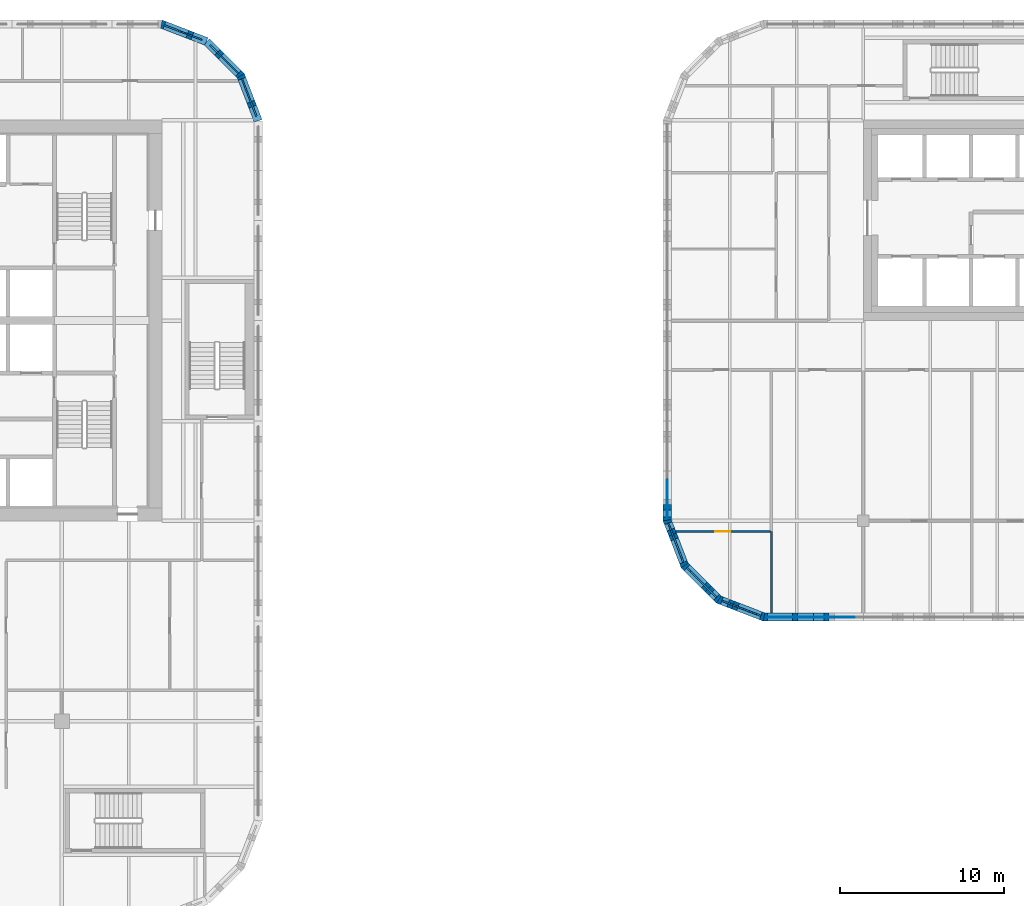
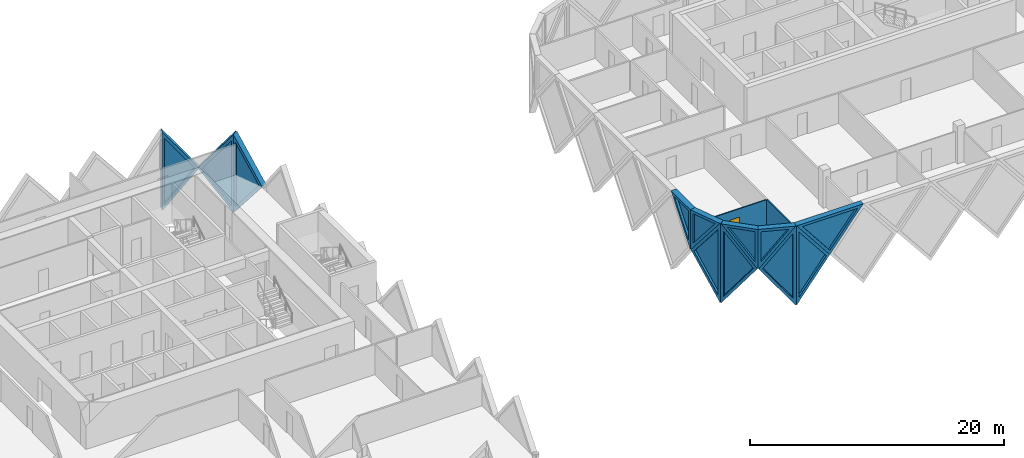
# One storey, part 11 of 21: 14 walls, 12 plates, 1 door, 13 openings.
"""IFC4 building model written with IfcOpenShell, lengths in metres."""

from ifc_helpers import new_model, si_unit, direction, frame, frame_2d, origin, place, context, subcontext, project, spatial, polyline, rectangle, outline, extrude, faceted_brep, source, transform, mapped, material, layer, layer_set, type_object, element, fill, save


model = new_model("IFC4")

# Units and contexts
model_context = context("Model", 3, precision=1e-05, world=origin(), true_north=direction((0.0, 1.0)))
body_context = subcontext(model_context, "Body", "Model", "MODEL_VIEW")
ifc_project = project(units=[si_unit("LENGTHUNIT", "METRE"), si_unit("AREAUNIT", "SQUARE_METRE"), si_unit("VOLUMEUNIT", "CUBIC_METRE"), si_unit("PLANEANGLEUNIT", "RADIAN"), si_unit("MASSUNIT", "GRAM", prefix="KILO")], contexts=[model_context])

# Site, building, storey
site_placement = place(None, origin())
site = spatial("IfcSite", under=ifc_project, at=site_placement, CompositionType="ELEMENT")
building_placement = place(site_placement, origin())
building = spatial("IfcBuilding", under=site, at=building_placement, Name="Tessera Gate Towers", CompositionType="ELEMENT")
storey_placement = place(building_placement, frame((0.0, 0.0, 91.39990234375)))
storey = spatial("IfcBuildingStorey", under=building, at=storey_placement, Name="L22", CompositionType="ELEMENT", Elevation=91.39990234375)

# Wall
ifc_material_1 = material(Name="Glass", Category="glass")
ifc_layer_1 = layer(ifc_material_1, 0.10009765625)
ifc_layer_set_1 = layer_set([ifc_layer_1], Name="GLAZED PARTITION 100")
wall_type_1 = type_object("IfcWallType", Name="GLAZED PARTITION 100", PredefinedType="PARTITIONING", material=ifc_layer_set_1)
wall_1_placement = place(storey_placement, frame((92.0, 18.800048828125, 0.0), z_axis=(0.0, 0.0, 1.0), x_axis=(0.0, 1.0, 0.0)))
element("IfcWall", 1, at=wall_1_placement, inside=storey, type_object=wall_type_1, Name="T2-L22-PW-001", PredefinedType="PARTITIONING", context=body_context, shape_type="SweptSolid", body=[
    extrude(rectangle(XDim=4.953857421875, YDim=0.10009765625, at=frame_2d((2.47705078125, 0.0))), origin(), (0.0, 0.0, 1.0), 2.89501953125),
])

# Wall, opening, door
wall_2_placement = place(storey_placement, frame((91.924072265625, 23.7548828125, 0.0), z_axis=(0.0, 0.0, 1.0), x_axis=(-1.0, 0.0, 0.0)))
wall_2 = element("IfcWall", 2, at=wall_2_placement, inside=storey, type_object=wall_type_1, Name="T2-L22-PW-013", PredefinedType="PARTITIONING", context=body_context, shape_type="SweptSolid", body=[
    extrude(rectangle(XDim=5.7392578125, YDim=0.10009765625, at=frame_2d((2.86962890625, 0.0))), origin(), (0.0, 0.0, 1.0), 2.89501953125),
])
shared_shape_1 = source(origin(), body_context, "Body", "SweptSolid", [
    extrude(rectangle(XDim=0.89990234375, YDim=2.10009765625, at=frame_2d((0.449951171875, 1.050048828125))), frame((0.0, 0.06005859375, 0.0), z_axis=(0.0, -1.0, 0.0), x_axis=(1.0, 0.0, 0.0)), (0.0, 0.0, 1.0), 0.1201171875),
])
opening_1_placement = place(wall_2_placement, frame((2.439208984375, 0.0, 0.0)))
opening_1 = element("IfcOpeningElement", 3, at=opening_1_placement, cuts=wall_2, Name="Opening D690-B09-02", PredefinedType="OPENING", context=body_context, shape_type="MappedRepresentation", body=[
    mapped(shared_shape_1, transform((0.0, 0.0, 0.0), scale=1.0)),
])
ifc_material_2 = material(Name="Glass in aluminium frame", Category="aluminium")
door_type = type_object("IfcDoorType", Name="GLAZED DOOR 900 NOT RATED", OperationType="NOTDEFINED", PredefinedType="DOOR", material=ifc_material_2)
shared_shape_2 = source(origin(), body_context, "Body", "SweptSolid", [
    extrude(rectangle(XDim=0.89990234375, YDim=2.10009765625, at=frame_2d((0.449951171875, 1.050048828125))), frame((0.0, 0.02490234375, 0.0), z_axis=(0.0, -1.0, 0.0), x_axis=(1.0, 0.0, 0.0)), (0.0, 0.0, 1.0), 0.050048828125),
])
door_placement = place(opening_1_placement, origin())
door = element("IfcDoor", 4, at=door_placement, inside=storey, type_object=door_type, Name="T2-L22-PD-015", OperationType="SINGLE_SWING_RIGHT", OverallHeight=2.10009765625, OverallWidth=0.89990234375, PredefinedType="DOOR", context=body_context, shape_type="MappedRepresentation", body=[
    mapped(shared_shape_2, transform((0.0, 0.0, 0.0), scale=1.0)),
])
fill(opening_1, door)

# Wall, opening, plate
ifc_material_3 = material(Name="Precast concrete C60/75 white", Category="concrete")
ifc_layer_2 = layer(ifc_material_3, 0.5)
ifc_layer_set_2 = layer_set([ifc_layer_2], Name="TS3 corner tessera")
wall_type_2 = type_object("IfcWallType", Name="TS3 corner tessera", PredefinedType="SOLIDWALL", material=ifc_layer_set_2)
shared_shape_3 = source(origin(), body_context, "Body", "Brep", [
    faceted_brep([(0.046630859375, -0.25, 0.0), (3.050048828125, -0.25, 3.7998046875), (0.046630859375, -0.25, 7.599853515625), (0.0, -0.25, 7.539794921875), (0.0, -0.25, 0.06005859375), (0.09326171875, 0.25, 7.541015625), (3.050048828125, 0.25, 3.7998046875), (0.09326171875, 0.25, 0.058837890625), (0.046630859375, 0.0, 0.0), (0.046630859375, 0.0, 7.599853515625)], [[[0, 1, 2, 3, 4]], [[5, 6, 7]], [[7, 6, 1, 0, 8]], [[6, 5, 9, 2, 1]], [[3, 2, 9]], [[8, 0, 4]], [[7, 8, 4, 3, 9, 5]]]),
])
wall_3_placement = place(storey_placement, frame((91.5, 18.550048828125, -3.7998046875), z_axis=(0.0, 0.0, 1.0), x_axis=(1.0, 0.0, 0.0)))
wall_3 = element("IfcWall", 5, at=wall_3_placement, inside=storey, type_object=wall_type_2, Name="Precast corner tessera T2 TS3-0321", PredefinedType="SOLIDWALL", context=body_context, shape_type="MappedRepresentation", body=[
    mapped(shared_shape_3, transform((0.0, 0.0, 0.0), scale=1.0)),
])
shared_shape_4 = source(origin(), body_context, "Body", "SweptSolid", [
    extrude(outline(polyline([(0.24658203125, 0.656005859375), (2.7314453125, 3.7998046875), (0.24658203125, 6.943603515625), (0.24658203125, 0.656005859375)])), frame((0.0, 0.260009765625, 0.0), z_axis=(0.0, -1.0, 0.0), x_axis=(1.0, 0.0, 0.0)), (0.0, 0.0, 1.0), 0.52001953125),
])
opening_2_placement = place(wall_3_placement, origin())
opening_2 = element("IfcOpeningElement", 6, at=opening_2_placement, cuts=wall_3, Name="Opening T2-PL2-0510", PredefinedType="OPENING", context=body_context, shape_type="MappedRepresentation", body=[
    mapped(shared_shape_4, transform((0.0, 0.0, 0.0), scale=1.0)),
])
ifc_material_4 = material(Name="Low-e laminated glass", Category="glass")
ifc_layer_3 = layer(ifc_material_4, 0.06005859375)
ifc_layer_set_3 = layer_set([ifc_layer_3], Name="PL2 rhombic pane")
plate_type_1 = type_object("IfcPlateType", Name="PL2 rhombic pane", PredefinedType="SHEET", material=ifc_layer_set_3)
shared_shape_5 = source(origin(), body_context, "Body", "SweptSolid", [
    extrude(outline(polyline([(0.24658203125, 0.656005859375), (2.7314453125, 3.7998046875), (0.24658203125, 6.943603515625), (0.24658203125, 0.656005859375)])), frame((0.0, 0.030029296875, 0.0), z_axis=(0.0, -1.0, 0.0), x_axis=(1.0, 0.0, 0.0)), (0.0, 0.0, 1.0), 0.06005859375),
])
plate_1_placement = place(opening_2_placement, origin())
plate_1 = element("IfcPlate", 7, at=plate_1_placement, inside=storey, type_object=plate_type_1, Name="Glass pane T2 PL2-0510", PredefinedType="SHEET", context=body_context, shape_type="MappedRepresentation", body=[
    mapped(shared_shape_5, transform((0.0, 0.0, 0.0), scale=1.0)),
])
fill(opening_2, plate_1)

shared_shape_6 = source(origin(), body_context, "Body", "Brep", [
    faceted_brep([(2.950439453125, -0.25, 0.0), (2.9970703125, -0.25, 0.05908203125), (2.9970703125, -0.25, 7.540771484375), (2.950439453125, -0.25, 7.599853515625), (0.0, -0.25, 3.7998046875), (0.052978515625, 0.25, 3.867919921875), (2.904052734375, 0.25, 7.5400390625), (2.904052734375, 0.25, 0.059814453125), (0.052978515625, 0.25, 3.731689453125), (2.950439453125, 0.00048828125, 0.0), (2.950439453125, 0.00048828125, 7.599853515625), (0.0, 0.0, 3.7998046875)], [[[0, 1, 2, 3, 4]], [[5, 6, 7, 8]], [[1, 0, 9]], [[10, 3, 2]], [[6, 5, 11, 4, 3, 10]], [[8, 7, 9, 0, 4, 11]], [[8, 11, 5]], [[1, 9, 7, 6, 10, 2]]]),
])
wall_4_placement = place(storey_placement, frame((88.793701171875, 19.61181640625, -3.7998046875), z_axis=(0.0, 0.0, 1.0), x_axis=(0.933000876937, -0.359874094142, 0.0)))
wall_4 = element("IfcWall", 8, at=wall_4_placement, inside=storey, type_object=wall_type_2, Name="Precast corner tessera T2 TS3-0322", PredefinedType="SOLIDWALL", context=body_context, shape_type="MappedRepresentation", body=[
    mapped(shared_shape_6, transform((0.0, 0.0, 0.0), scale=1.0)),
])
shared_shape_7 = source(origin(), body_context, "Body", "SweptSolid", [
    extrude(outline(polyline([(2.75048828125, 6.9345703125), (0.31640625, 3.7998046875), (2.75048828125, 0.6650390625), (2.75048828125, 6.9345703125)])), frame((0.0, 0.260009765625, 0.0), z_axis=(0.0, -1.0, 0.0), x_axis=(1.0, 0.0, 0.0)), (0.0, 0.0, 1.0), 0.52001953125),
])
opening_3_placement = place(wall_4_placement, origin())
opening_3 = element("IfcOpeningElement", 9, at=opening_3_placement, cuts=wall_4, Name="Opening T2-PL2-0511", PredefinedType="OPENING", context=body_context, shape_type="MappedRepresentation", body=[
    mapped(shared_shape_7, transform((0.0, 0.0, 0.0), scale=1.0)),
])
shared_shape_8 = source(origin(), body_context, "Body", "SweptSolid", [
    extrude(outline(polyline([(2.75048828125, 6.9345703125), (0.31640625, 3.7998046875), (2.75048828125, 0.6650390625), (2.75048828125, 6.9345703125)])), frame((0.0, 0.030029296875, 0.0), z_axis=(0.0, -1.0, 0.0), x_axis=(1.0, 0.0, 0.0)), (0.0, 0.0, 1.0), 0.06005859375),
])
plate_2_placement = place(opening_3_placement, origin())
plate_2 = element("IfcPlate", 10, at=plate_2_placement, inside=storey, type_object=plate_type_1, Name="Glass pane T2 PL2-0511", PredefinedType="SHEET", context=body_context, shape_type="MappedRepresentation", body=[
    mapped(shared_shape_8, transform((0.0, 0.0, 0.0), scale=1.0)),
])
fill(opening_3, plate_2)

shared_shape_9 = source(origin(), body_context, "Body", "Brep", [
    faceted_brep([(2.950439453125, -0.25, 0.0), (3.00341796875, -0.25, 0.068359375), (3.00341796875, -0.25, 7.531494140625), (2.950439453125, -0.25, 7.599853515625), (0.0, -0.25, 3.7998046875), (0.046630859375, 0.25, 3.85986328125), (2.897705078125, 0.25, 7.53173828125), (2.897705078125, 0.25, 0.068115234375), (0.046630859375, 0.25, 3.73974609375), (2.950439453125, 0.00048828125, 0.0), (2.950439453125, 0.00048828125, 7.599853515625), (0.0, 0.0, 3.7998046875)], [[[0, 1, 2, 3, 4]], [[5, 6, 7, 8]], [[1, 0, 9]], [[10, 3, 2]], [[6, 5, 11, 4, 3, 10]], [[8, 7, 9, 0, 4, 11]], [[8, 11, 5]], [[1, 9, 7, 6, 10, 2]]]),
])
wall_5_placement = place(storey_placement, frame((60.75, 48.75341796875, -3.7998046875), z_axis=(0.0, 0.0, 1.0), x_axis=(-0.35992665181, 0.932980602862, 0.0)))
wall_5 = element("IfcWall", 11, at=wall_5_placement, inside=storey, type_object=wall_type_2, Name="Precast corner tessera T1 TS3-0487", PredefinedType="SOLIDWALL", context=body_context, shape_type="MappedRepresentation", body=[
    mapped(shared_shape_9, transform((0.0, 0.0, 0.0), scale=1.0)),
])
opening_4_placement = place(wall_5_placement, origin())
opening_4 = element("IfcOpeningElement", 12, at=opening_4_placement, cuts=wall_5, Name="Opening T1-PL2-0721", PredefinedType="OPENING", context=body_context, shape_type="MappedRepresentation", body=[
    mapped(shared_shape_7, transform((0.0, 0.0, 0.0), scale=1.0)),
])
plate_3_placement = place(opening_4_placement, origin())
plate_3 = element("IfcPlate", 13, at=plate_3_placement, inside=storey, type_object=plate_type_1, Name="Glass pane T1 PL2-0721", PredefinedType="SHEET", context=body_context, shape_type="MappedRepresentation", body=[
    mapped(shared_shape_8, transform((0.0, 0.0, 0.0), scale=1.0)),
])
fill(opening_4, plate_3)

wall_6_placement = place(storey_placement, frame((85.64990234375, 24.446533203125, -3.7998046875), z_axis=(0.0, 0.0, 1.0), x_axis=(0.35992665181, -0.932980602862, 0.0)))
wall_6 = element("IfcWall", 14, at=wall_6_placement, inside=storey, type_object=wall_type_2, Name="Precast corner tessera T2 TS3-0335", PredefinedType="SOLIDWALL", context=body_context, shape_type="MappedRepresentation", body=[
    mapped(shared_shape_9, transform((0.0, 0.0, 0.0), scale=1.0)),
])
opening_5_placement = place(wall_6_placement, origin())
opening_5 = element("IfcOpeningElement", 15, at=opening_5_placement, cuts=wall_6, Name="Opening T2-PL2-0542", PredefinedType="OPENING", context=body_context, shape_type="MappedRepresentation", body=[
    mapped(shared_shape_7, transform((0.0, 0.0, 0.0), scale=1.0)),
])
plate_4_placement = place(opening_5_placement, origin())
plate_4 = element("IfcPlate", 16, at=plate_4_placement, inside=storey, type_object=plate_type_1, Name="Glass pane T2 PL2-0542", PredefinedType="SHEET", context=body_context, shape_type="MappedRepresentation", body=[
    mapped(shared_shape_8, transform((0.0, 0.0, 0.0), scale=1.0)),
])
fill(opening_5, plate_4)

shared_shape_10 = source(origin(), body_context, "Body", "Brep", [
    faceted_brep([(0.052978515625, -0.25, 0.0), (2.9970703125, -0.25, 3.7998046875), (0.052978515625, -0.25, 7.599853515625), (0.0, -0.25, 7.53173828125), (0.0, -0.25, 0.068115234375), (0.10595703125, 0.25, 7.531494140625), (2.944091796875, 0.25, 3.867919921875), (2.944091796875, 0.25, 3.731689453125), (0.10595703125, 0.25, 0.068359375), (2.9970703125, 0.000244140625, 3.7998046875), (0.052978515625, 0.0, 0.0), (0.052978515625, 0.0, 7.599853515625)], [[[0, 1, 2, 3, 4]], [[5, 6, 7, 8]], [[8, 7, 9, 1, 0, 10]], [[6, 5, 11, 2, 1, 9]], [[3, 2, 11]], [[10, 0, 4]], [[8, 10, 4, 3, 11, 5]], [[9, 7, 6]]]),
])
wall_7_placement = place(storey_placement, frame((59.7255859375, 51.46875, -3.7998046875), z_axis=(0.0, 0.0, 1.0), x_axis=(-0.707106781187, 0.707106781187, 0.0)))
wall_7 = element("IfcWall", 17, at=wall_7_placement, inside=storey, type_object=wall_type_2, Name="Precast corner tessera T1 TS3-0488", PredefinedType="SOLIDWALL", context=body_context, shape_type="MappedRepresentation", body=[
    mapped(shared_shape_10, transform((0.0, 0.0, 0.0), scale=1.0)),
])
shared_shape_11 = source(origin(), body_context, "Body", "SweptSolid", [
    extrude(outline(polyline([(0.2529296875, 0.666259765625), (2.680908203125, 3.7998046875), (0.2529296875, 6.93359375), (0.2529296875, 0.666259765625)])), frame((0.0, 0.260009765625, 0.0), z_axis=(0.0, -1.0, 0.0), x_axis=(1.0, 0.0, 0.0)), (0.0, 0.0, 1.0), 0.52001953125),
])
opening_6_placement = place(wall_7_placement, origin())
opening_6 = element("IfcOpeningElement", 18, at=opening_6_placement, cuts=wall_7, Name="Opening T1-PL2-0722", PredefinedType="OPENING", context=body_context, shape_type="MappedRepresentation", body=[
    mapped(shared_shape_11, transform((0.0, 0.0, 0.0), scale=1.0)),
])
shared_shape_12 = source(origin(), body_context, "Body", "SweptSolid", [
    extrude(outline(polyline([(0.2529296875, 0.666259765625), (2.680908203125, 3.7998046875), (0.2529296875, 6.93359375), (0.2529296875, 0.666259765625)])), frame((0.0, 0.030029296875, 0.0), z_axis=(0.0, -1.0, 0.0), x_axis=(1.0, 0.0, 0.0)), (0.0, 0.0, 1.0), 0.06005859375),
])
plate_5_placement = place(opening_6_placement, origin())
plate_5 = element("IfcPlate", 19, at=plate_5_placement, inside=storey, type_object=plate_type_1, Name="Glass pane T1 PL2-0722", PredefinedType="SHEET", context=body_context, shape_type="MappedRepresentation", body=[
    mapped(shared_shape_12, transform((0.0, 0.0, 0.0), scale=1.0)),
])
fill(opening_6, plate_5)

shared_shape_13 = source(origin(), body_context, "Body", "Brep", [
    faceted_brep([(2.950439453125, -0.25, 0.0), (2.9970703125, -0.25, 0.05908203125), (2.9970703125, -0.25, 7.540771484375), (2.950439453125, -0.25, 7.599853515625), (0.0, -0.25, 3.7998046875), (0.052978515625, 0.25, 3.867919921875), (2.904052734375, 0.25, 7.5400390625), (2.904052734375, 0.25, 0.059814453125), (0.052978515625, 0.25, 3.731689453125), (2.950439453125, 0.00048828125, 0.0), (2.950439453125, 0.00048828125, 7.599853515625), (0.0, 0.0, 3.7998046875)], [[[0, 1, 2, 3, 4]], [[5, 6, 7, 8]], [[1, 0, 9]], [[10, 3, 2]], [[6, 5, 11, 4, 3, 10]], [[8, 7, 9, 0, 4, 11]], [[8, 11, 5]], [[1, 9, 7, 6, 10, 2]]]),
])
wall_8_placement = place(storey_placement, frame((57.606201171875, 53.588134765625, -3.7998046875), z_axis=(0.0, 0.0, 1.0), x_axis=(-0.932990326376, 0.359901446078, 0.0)))
wall_8 = element("IfcWall", 20, at=wall_8_placement, inside=storey, type_object=wall_type_2, Name="Precast corner tessera T1 TS3-0489", PredefinedType="SOLIDWALL", context=body_context, shape_type="MappedRepresentation", body=[
    mapped(shared_shape_13, transform((0.0, 0.0, 0.0), scale=1.0)),
])
opening_7_placement = place(wall_8_placement, origin())
opening_7 = element("IfcOpeningElement", 21, at=opening_7_placement, cuts=wall_8, Name="Opening T1-PL2-0723", PredefinedType="OPENING", context=body_context, shape_type="MappedRepresentation", body=[
    mapped(shared_shape_7, transform((0.0, 0.0, 0.0), scale=1.0)),
])
plate_6_placement = place(opening_7_placement, origin())
plate_6 = element("IfcPlate", 22, at=plate_6_placement, inside=storey, type_object=plate_type_1, Name="Glass pane T1 PL2-0723", PredefinedType="SHEET", context=body_context, shape_type="MappedRepresentation", body=[
    mapped(shared_shape_8, transform((0.0, 0.0, 0.0), scale=1.0)),
])
fill(opening_7, plate_6)

shared_shape_14 = source(origin(), body_context, "Body", "Brep", [
    faceted_brep([(0.052978515625, -0.25, 0.0), (2.9970703125, -0.25, 3.7998046875), (0.052978515625, -0.25, 7.599853515625), (0.0, -0.25, 7.53173828125), (0.0, -0.25, 0.068115234375), (0.10595703125, 0.25, 7.531494140625), (2.944091796875, 0.25, 3.867919921875), (2.944091796875, 0.25, 3.731689453125), (0.10595703125, 0.25, 0.068359375), (2.9970703125, 0.000244140625, 3.7998046875), (0.052978515625, 0.0, 0.0), (0.052978515625, 0.0, 7.599853515625)], [[[0, 1, 2, 3, 4]], [[5, 6, 7, 8]], [[8, 7, 9, 1, 0, 10]], [[6, 5, 11, 2, 1, 9]], [[3, 2, 11]], [[10, 0, 4]], [[8, 10, 4, 3, 11, 5]], [[9, 7, 6]]]),
])
wall_9_placement = place(storey_placement, frame((86.674560546875, 21.731201171875, -3.7998046875), z_axis=(0.0, 0.0, 1.0), x_axis=(0.707106781187, -0.707106781187, 0.0)))
wall_9 = element("IfcWall", 23, at=wall_9_placement, inside=storey, type_object=wall_type_2, Name="Precast corner tessera T2 TS3-0336", PredefinedType="SOLIDWALL", context=body_context, shape_type="MappedRepresentation", body=[
    mapped(shared_shape_14, transform((0.0, 0.0, 0.0), scale=1.0)),
])
opening_8_placement = place(wall_9_placement, origin())
opening_8 = element("IfcOpeningElement", 24, at=opening_8_placement, cuts=wall_9, Name="Opening T2-PL2-0543", PredefinedType="OPENING", context=body_context, shape_type="MappedRepresentation", body=[
    mapped(shared_shape_11, transform((0.0, 0.0, 0.0), scale=1.0)),
])
plate_7_placement = place(opening_8_placement, origin())
plate_7 = element("IfcPlate", 25, at=plate_7_placement, inside=storey, type_object=plate_type_1, Name="Glass pane T2 PL2-0543", PredefinedType="SHEET", context=body_context, shape_type="MappedRepresentation", body=[
    mapped(shared_shape_12, transform((0.0, 0.0, 0.0), scale=1.0)),
])
fill(opening_8, plate_7)

shared_shape_15 = source(origin(), body_context, "Body", "Brep", [
    faceted_brep([(3.00341796875, -0.25, 0.0), (3.050048828125, -0.25, 0.06005859375), (3.050048828125, -0.25, 3.800048828125), (0.0, -0.25, 3.800048828125), (0.0, 0.25, 3.800048828125), (2.956787109375, 0.25, 3.800048828125), (2.956787109375, 0.25, 0.058837890625), (3.00341796875, 0.000244140625, 0.0)], [[[0, 1, 2, 3]], [[4, 5, 6]], [[1, 0, 7]], [[5, 4, 3, 2]], [[4, 6, 7, 0, 3]], [[1, 7, 6, 5, 2]]]),
])
wall_10_placement = place(storey_placement, frame((85.64990234375, 27.449951171875, 0.0), z_axis=(0.0, 0.0, 1.0), x_axis=(0.0, -1.0, 0.0)))
wall_10 = element("IfcWall", 26, at=wall_10_placement, inside=storey, type_object=wall_type_2, Name="Precast corner tessera T2 TS3-0349", PredefinedType="SOLIDWALL", context=body_context, shape_type="MappedRepresentation", body=[
    mapped(shared_shape_15, transform((0.0, 0.0, 0.0), scale=1.0)),
])
shared_shape_16 = source(origin(), body_context, "Body", "SweptSolid", [
    extrude(outline(polyline([(2.803466796875, 3.550048828125), (0.516357421875, 3.550048828125), (2.803466796875, 0.65625), (2.803466796875, 3.550048828125)])), frame((0.0, 0.260009765625, 0.0), z_axis=(0.0, -1.0, 0.0), x_axis=(1.0, 0.0, 0.0)), (0.0, 0.0, 1.0), 0.52001953125),
])
opening_9_placement = place(wall_10_placement, origin())
opening_9 = element("IfcOpeningElement", 27, at=opening_9_placement, cuts=wall_10, Name="Opening T2-PL1-0200", PredefinedType="OPENING", context=body_context, shape_type="MappedRepresentation", body=[
    mapped(shared_shape_16, transform((0.0, 0.0, 0.0), scale=1.0)),
])
ifc_material_5 = material(Name="Low-e laminated glass", Category="glass")
ifc_layer_4 = layer(ifc_material_5, 0.06005859375)
ifc_layer_set_4 = layer_set([ifc_layer_4], Name="PL1 triangular pane")
plate_type_2 = type_object("IfcPlateType", Name="PL1 triangular pane", PredefinedType="SHEET", material=ifc_layer_set_4)
shared_shape_17 = source(origin(), body_context, "Body", "SweptSolid", [
    extrude(outline(polyline([(2.803466796875, 3.550048828125), (0.516357421875, 3.550048828125), (2.803466796875, 0.65625), (2.803466796875, 3.550048828125)])), frame((0.0, 0.030029296875, 0.0), z_axis=(0.0, -1.0, 0.0), x_axis=(1.0, 0.0, 0.0)), (0.0, 0.0, 1.0), 0.06005859375),
])
plate_8_placement = place(opening_9_placement, origin())
plate_8 = element("IfcPlate", 28, at=plate_8_placement, inside=storey, type_object=plate_type_2, Name="Glass pane T2 PL1-0200", PredefinedType="SHEET", context=body_context, shape_type="MappedRepresentation", body=[
    mapped(shared_shape_17, transform((0.0, 0.0, 0.0), scale=1.0)),
])
fill(opening_9, plate_8)

shared_shape_18 = source(origin(), body_context, "Body", "Brep", [
    faceted_brep([(0.046630859375, -0.25, 0.0), (2.9970703125, -0.25, 3.800048828125), (0.0, -0.25, 3.800048828125), (0.0, -0.25, 0.058837890625), (0.09326171875, 0.25, 3.800048828125), (2.9443359375, 0.25, 3.800048828125), (2.9443359375, 0.25, 3.73193359375), (0.09326171875, 0.25, 0.06005859375), (2.9970703125, 0.00048828125, 3.800048828125), (0.046630859375, 0.0, 0.0)], [[[0, 1, 2, 3]], [[4, 5, 6, 7]], [[7, 6, 8, 1, 0, 9]], [[5, 4, 2, 1, 8]], [[9, 0, 3]], [[7, 9, 3, 2, 4]], [[6, 5, 8]]]),
])
wall_11_placement = place(storey_placement, frame((85.63330078125, 24.489990234375, 0.0), z_axis=(0.0, 0.0, 1.0), x_axis=(0.359901446078, -0.932990326376, 0.0)))
wall_11 = element("IfcWall", 29, at=wall_11_placement, inside=storey, type_object=wall_type_2, Name="Precast corner tessera T2 TS3-0350", PredefinedType="SOLIDWALL", context=body_context, shape_type="MappedRepresentation", body=[
    mapped(shared_shape_18, transform((0.0, 0.0, 0.0), scale=1.0)),
])
shared_shape_19 = source(origin(), body_context, "Body", "SweptSolid", [
    extrude(outline(polyline([(0.24658203125, 0.665283203125), (2.486572265625, 3.550048828125), (0.24658203125, 3.550048828125), (0.24658203125, 0.665283203125)])), frame((0.0, 0.260009765625, 0.0), z_axis=(0.0, -1.0, 0.0), x_axis=(1.0, 0.0, 0.0)), (0.0, 0.0, 1.0), 0.52001953125),
])
opening_10_placement = place(wall_11_placement, origin())
opening_10 = element("IfcOpeningElement", 30, at=opening_10_placement, cuts=wall_11, Name="Opening T2-PL1-0201", PredefinedType="OPENING", context=body_context, shape_type="MappedRepresentation", body=[
    mapped(shared_shape_19, transform((0.0, 0.0, 0.0), scale=1.0)),
])
shared_shape_20 = source(origin(), body_context, "Body", "SweptSolid", [
    extrude(outline(polyline([(0.24658203125, 0.665283203125), (2.486572265625, 3.550048828125), (0.24658203125, 3.550048828125), (0.24658203125, 0.665283203125)])), frame((0.0, 0.030029296875, 0.0), z_axis=(0.0, -1.0, 0.0), x_axis=(1.0, 0.0, 0.0)), (0.0, 0.0, 1.0), 0.06005859375),
])
plate_9_placement = place(opening_10_placement, origin())
plate_9 = element("IfcPlate", 31, at=plate_9_placement, inside=storey, type_object=plate_type_2, Name="Glass pane T2 PL1-0201", PredefinedType="SHEET", context=body_context, shape_type="MappedRepresentation", body=[
    mapped(shared_shape_20, transform((0.0, 0.0, 0.0), scale=1.0)),
])
fill(opening_10, plate_9)

shared_shape_21 = source(origin(), body_context, "Body", "Brep", [
    faceted_brep([(2.944091796875, -0.25, 0.0), (2.9970703125, -0.25, 0.068115234375), (2.9970703125, -0.25, 3.800048828125), (0.0, -0.25, 3.800048828125), (0.052978515625, 0.25, 3.800048828125), (2.89111328125, 0.25, 3.800048828125), (2.89111328125, 0.25, 0.068115234375), (0.052978515625, 0.25, 3.731689453125), (2.944091796875, 0.000244140625, 0.0), (0.0, 0.0, 3.800048828125)], [[[0, 1, 2, 3]], [[4, 5, 6, 7]], [[1, 0, 8]], [[5, 4, 9, 3, 2]], [[7, 6, 8, 0, 3, 9]], [[7, 9, 4]], [[1, 8, 6, 5, 2]]]),
])
wall_12_placement = place(storey_placement, frame((86.7119140625, 21.69384765625, 0.0), z_axis=(0.0, 0.0, 1.0), x_axis=(0.707066050402, -0.707147509625, 0.0)))
wall_12 = element("IfcWall", 32, at=wall_12_placement, inside=storey, type_object=wall_type_2, Name="Precast corner tessera T2 TS3-0351", PredefinedType="SOLIDWALL", context=body_context, shape_type="MappedRepresentation", body=[
    mapped(shared_shape_21, transform((0.0, 0.0, 0.0), scale=1.0)),
])
shared_shape_22 = source(origin(), body_context, "Body", "SweptSolid", [
    extrude(outline(polyline([(2.744140625, 3.550048828125), (0.510009765625, 3.550048828125), (2.744140625, 0.66650390625), (2.744140625, 3.550048828125)])), frame((0.0, 0.260009765625, 0.0), z_axis=(0.0, -1.0, 0.0), x_axis=(1.0, 0.0, 0.0)), (0.0, 0.0, 1.0), 0.52001953125),
])
opening_11_placement = place(wall_12_placement, origin())
opening_11 = element("IfcOpeningElement", 33, at=opening_11_placement, cuts=wall_12, Name="Opening T2-PL1-0202", PredefinedType="OPENING", context=body_context, shape_type="MappedRepresentation", body=[
    mapped(shared_shape_22, transform((0.0, 0.0, 0.0), scale=1.0)),
])
shared_shape_23 = source(origin(), body_context, "Body", "SweptSolid", [
    extrude(outline(polyline([(2.744140625, 3.550048828125), (0.510009765625, 3.550048828125), (2.744140625, 0.66650390625), (2.744140625, 3.550048828125)])), frame((0.0, 0.030029296875, 0.0), z_axis=(0.0, -1.0, 0.0), x_axis=(1.0, 0.0, 0.0)), (0.0, 0.0, 1.0), 0.06005859375),
])
plate_10_placement = place(opening_11_placement, origin())
plate_10 = element("IfcPlate", 34, at=plate_10_placement, inside=storey, type_object=plate_type_2, Name="Glass pane T2 PL1-0202", PredefinedType="SHEET", context=body_context, shape_type="MappedRepresentation", body=[
    mapped(shared_shape_23, transform((0.0, 0.0, 0.0), scale=1.0)),
])
fill(opening_11, plate_10)

ifc_material_6 = material(Name="Precast concrete C60/75 white", Category="concrete")
ifc_layer_5 = layer(ifc_material_6, 0.5)
ifc_layer_set_5 = layer_set([ifc_layer_5], Name="TS2 half tessera")
wall_type_3 = type_object("IfcWallType", Name="TS2 half tessera", PredefinedType="SOLIDWALL", material=ifc_layer_set_5)
shared_shape_24 = source(origin(), body_context, "Body", "Brep", [
    faceted_brep([(3.00341796875, -0.25, 0.0), (6.053466796875, -0.25, 3.800048828125), (0.0, -0.25, 3.800048828125), (0.046630859375, 0.25, 3.800048828125), (6.053466796875, 0.25, 3.800048828125), (3.00341796875, 0.25, 0.0), (0.046630859375, 0.25, 3.7412109375), (0.0, 0.0, 3.800048828125)], [[[0, 1, 2]], [[3, 4, 5, 6]], [[5, 4, 1, 0]], [[4, 3, 7, 2, 1]], [[6, 5, 0, 2, 7]], [[6, 7, 3]]]),
])
wall_13_placement = place(storey_placement, frame((91.546630859375, 18.550048828125, 0.0), z_axis=(0.0, 0.0, 1.0), x_axis=(1.0, 0.0, 0.0)))
wall_13 = element("IfcWall", 35, at=wall_13_placement, inside=storey, type_object=wall_type_3, Name="Precast half tessera T2 TS2-0090", PredefinedType="SOLIDWALL", context=body_context, shape_type="MappedRepresentation", body=[
    mapped(shared_shape_24, transform((0.0, 0.0, 0.0), scale=1.0)),
])
shared_shape_25 = source(origin(), body_context, "Body", "SweptSolid", [
    extrude(outline(polyline([(3.0048828125, 0.4013671875), (5.5322265625, 3.550048828125), (0.516357421875, 3.550048828125), (3.0048828125, 0.4013671875)])), frame((0.0, 0.260009765625, 0.0), z_axis=(0.0, -1.0, 0.0), x_axis=(1.0, 0.0, 0.0)), (0.0, 0.0, 1.0), 0.52001953125),
])
opening_12_placement = place(wall_13_placement, origin())
opening_12 = element("IfcOpeningElement", 36, at=opening_12_placement, cuts=wall_13, Name="Opening T2-PL1-0170", PredefinedType="OPENING", context=body_context, shape_type="MappedRepresentation", body=[
    mapped(shared_shape_25, transform((0.0, 0.0, 0.0), scale=1.0)),
])
shared_shape_26 = source(origin(), body_context, "Body", "SweptSolid", [
    extrude(outline(polyline([(3.0048828125, 0.4013671875), (5.5322265625, 3.550048828125), (0.516357421875, 3.550048828125), (3.0048828125, 0.4013671875)])), frame((0.0, 0.030029296875, 0.0), z_axis=(0.0, -1.0, 0.0), x_axis=(1.0, 0.0, 0.0)), (0.0, 0.0, 1.0), 0.06005859375),
])
plate_11_placement = place(opening_12_placement, origin())
plate_11 = element("IfcPlate", 37, at=plate_11_placement, inside=storey, type_object=plate_type_2, Name="Glass pane T2 PL1-0170", PredefinedType="SHEET", context=body_context, shape_type="MappedRepresentation", body=[
    mapped(shared_shape_26, transform((0.0, 0.0, 0.0), scale=1.0)),
])
fill(opening_12, plate_11)

shared_shape_27 = source(origin(), body_context, "Body", "Brep", [
    faceted_brep([(0.052978515625, -0.25, 0.0), (3.00341796875, -0.25, 3.800048828125), (0.0, -0.25, 3.800048828125), (0.0, -0.25, 0.068359375), (0.10595703125, 0.25, 3.800048828125), (2.95703125, 0.25, 3.800048828125), (2.95703125, 0.25, 3.740234375), (0.10595703125, 0.25, 0.068115234375), (3.00341796875, 0.00048828125, 3.800048828125), (0.052978515625, 0.0, 0.0)], [[[0, 1, 2, 3]], [[4, 5, 6, 7]], [[7, 6, 8, 1, 0, 9]], [[5, 4, 2, 1, 8]], [[9, 0, 3]], [[7, 9, 3, 2, 4]], [[6, 5, 8]]]),
])
wall_14_placement = place(storey_placement, frame((88.744384765625, 19.630859375, 0.0), z_axis=(0.0, 0.0, 1.0), x_axis=(0.932997369089, -0.359883188373, 0.0)))
wall_14 = element("IfcWall", 38, at=wall_14_placement, inside=storey, type_object=wall_type_2, Name="Precast corner tessera T2 TS3-0352", PredefinedType="SOLIDWALL", context=body_context, shape_type="MappedRepresentation", body=[
    mapped(shared_shape_27, transform((0.0, 0.0, 0.0), scale=1.0)),
])
shared_shape_28 = source(origin(), body_context, "Body", "SweptSolid", [
    extrude(outline(polyline([(0.2529296875, 0.665283203125), (2.492919921875, 3.550048828125), (0.2529296875, 3.550048828125), (0.2529296875, 0.665283203125)])), frame((0.0, 0.260009765625, 0.0), z_axis=(0.0, -1.0, 0.0), x_axis=(1.0, 0.0, 0.0)), (0.0, 0.0, 1.0), 0.52001953125),
])
opening_13_placement = place(wall_14_placement, origin())
opening_13 = element("IfcOpeningElement", 39, at=opening_13_placement, cuts=wall_14, Name="Opening T2-PL1-0203", PredefinedType="OPENING", context=body_context, shape_type="MappedRepresentation", body=[
    mapped(shared_shape_28, transform((0.0, 0.0, 0.0), scale=1.0)),
])
shared_shape_29 = source(origin(), body_context, "Body", "SweptSolid", [
    extrude(outline(polyline([(0.2529296875, 0.665283203125), (2.492919921875, 3.550048828125), (0.2529296875, 3.550048828125), (0.2529296875, 0.665283203125)])), frame((0.0, 0.030029296875, 0.0), z_axis=(0.0, -1.0, 0.0), x_axis=(1.0, 0.0, 0.0)), (0.0, 0.0, 1.0), 0.06005859375),
])
plate_12_placement = place(opening_13_placement, origin())
plate_12 = element("IfcPlate", 40, at=plate_12_placement, inside=storey, type_object=plate_type_2, Name="Glass pane T2 PL1-0203", PredefinedType="SHEET", context=body_context, shape_type="MappedRepresentation", body=[
    mapped(shared_shape_29, transform((0.0, 0.0, 0.0), scale=1.0)),
])
fill(opening_13, plate_12)

save(model, "model.ifc")
